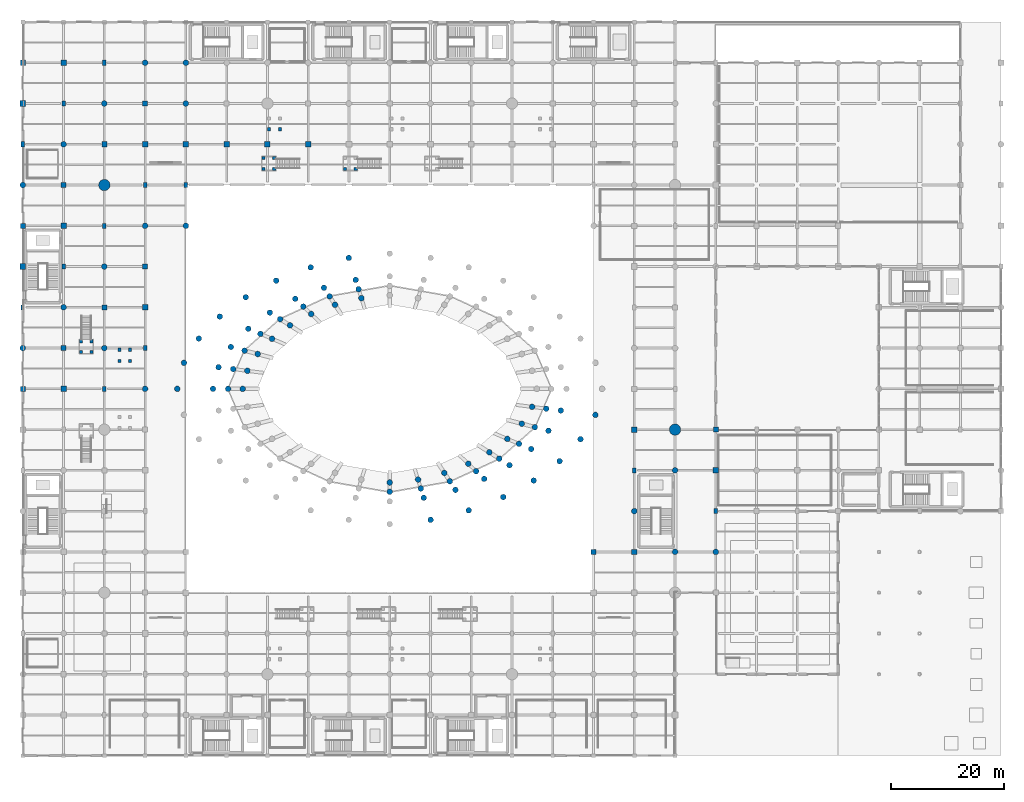
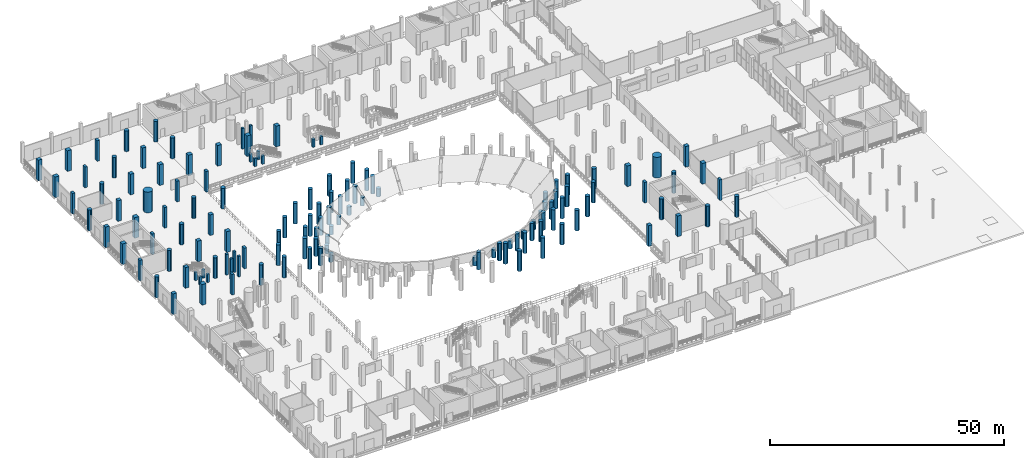
# One storey, part 2 of 58: 134 columns.
"""IFC4 building model written with IfcOpenShell, lengths in metres."""

from ifc_helpers import new_model, si_unit, direction, frame, origin, origin_2d, place, context, subcontext, project, spatial, rectangle, circle, extrude, material, material_profile, profile_set, type_object, element, save


model = new_model("IFC4")

# Units and contexts
model_context = context("Model", 3, precision=1e-05, world=origin(), true_north=direction((0.0, 1.0)))
body_context = subcontext(model_context, "Body", "Model", "MODEL_VIEW")
ifc_project = project(units=[si_unit("LENGTHUNIT", "METRE"), si_unit("AREAUNIT", "SQUARE_METRE"), si_unit("VOLUMEUNIT", "CUBIC_METRE"), si_unit("PLANEANGLEUNIT", "RADIAN"), si_unit("MASSUNIT", "GRAM", prefix="KILO")], contexts=[model_context])

# Site, building, storey
site_placement = place(None, origin())
site = spatial("IfcSite", under=ifc_project, at=site_placement, CompositionType="ELEMENT")
building_placement = place(site_placement, origin())
building = spatial("IfcBuilding", under=site, at=building_placement, Name="Qandorah Velis Arena", CompositionType="ELEMENT")
storey_placement = place(building_placement, origin())
storey = spatial("IfcBuildingStorey", under=building, at=storey_placement, Name="L00", CompositionType="ELEMENT", Elevation=0.0)

# Columns
ifc_material_1 = material(Name="Concrete C50/60", Category="concrete")
ifc_material_profile_1 = material_profile(ifc_material_1, circle(Radius=1.0, at=origin_2d()), Name="MC D2000")
ifc_profile_set_1 = profile_set([ifc_material_profile_1], Name="Concrete C50/60")
column_type_1 = type_object("IfcColumnType", Name="STR-COL-MC2000", PredefinedType="COLUMN", material=ifc_profile_set_1)
for number, where, z_axis, x_axis, name in (
    (1, (14.39990234375, 100.800048828125, 0.0), (0.0, 0.0, 1.0), (1.0, 0.0, 0.0), "Mega column MC3 (L00)"),
    (2, (115.199951171875, 57.60009765625, 0.0), (0.0, 0.0, 1.0), (1.0, 0.0, 0.0), "Mega column MC9 (L00)"),
):
    element("IfcColumn", number, at=place(storey_placement, frame(where, z_axis=z_axis, x_axis=x_axis)), inside=storey, type_object=column_type_1, Name=name, PredefinedType="COLUMN", context=body_context, shape_type="SweptSolid", body=[
        extrude(circle(Radius=1.0, at=origin_2d()), origin(), (0.0, 0.0, 1.0), 5.39990234375),
    ])
ifc_material_2 = material(Name="Concrete C40/50", Category="concrete")
ifc_material_profile_2 = material_profile(ifc_material_2, rectangle(XDim=1.0, YDim=1.0, at=origin_2d()), Name="RC COL 1000x1000")
ifc_profile_set_2 = profile_set([ifc_material_profile_2], Name="Concrete C40/50")
column_type_2 = type_object("IfcColumnType", Name="STR-COL-RC1000", PredefinedType="COLUMN", material=ifc_profile_set_2)
for number, where, z_axis, x_axis, name in (
    (3, (0.0, 86.39990234375, 0.0), (0.0, 0.0, 1.0), (1.0, 0.0, 0.0), "Structural column L00-012"),
    (4, (0.0, 115.199951171875, 0.0), (0.0, 0.0, 1.0), (1.0, 0.0, 0.0), "Structural column L00-016"),
    (5, (7.199951171875, 64.800048828125, 0.0), (0.0, 0.0, 1.0), (1.0, 0.0, 0.0), "Structural column L00-028"),
    (6, (7.199951171875, 93.60009765625, 0.0), (0.0, 0.0, 1.0), (1.0, 0.0, 0.0), "Structural column L00-032"),
    (7, (7.199951171875, 122.39990234375, 0.0), (0.0, 0.0, 1.0), (1.0, 0.0, 0.0), "Structural column L00-036"),
    (8, (21.60009765625, 79.199951171875, 0.0), (0.0, 0.0, 1.0), (1.0, 0.0, 0.0), "Structural column L00-068"),
    (9, (21.60009765625, 108.0, 0.0), (0.0, 0.0, 1.0), (1.0, 0.0, 0.0), "Structural column L00-072"),
    (10, (28.800048828125, 108.0, 0.0), (0.0, 0.0, 1.0), (1.0, 0.0, 0.0), "Structural column L00-084"),
    (11, (36.0, 108.0, 0.0), (0.0, 0.0, 1.0), (1.0, 0.0, 0.0), "Structural column L00-092"),
    (12, (43.199951171875, 108.0, 0.0), (0.0, 0.0, 1.0), (1.0, 0.0, 0.0), "Structural column L00-100"),
    (13, (50.39990234375, 108.0, 0.0), (0.0, 0.0, 1.0), (1.0, 0.0, 0.0), "Structural column L00-108"),
    (14, (108.0, 57.60009765625, 0.0), (0.0, 0.0, 1.0), (1.0, 0.0, 0.0), "Structural column L00-180"),
    (15, (122.39990234375, 50.39990234375, 0.0), (0.0, 0.0, 1.0), (1.0, 0.0, 0.0), "Structural column L00-212"),
):
    element("IfcColumn", number, at=place(storey_placement, frame(where, z_axis=z_axis, x_axis=x_axis)), inside=storey, type_object=column_type_2, Name=name, PredefinedType="COLUMN", context=body_context, shape_type="SweptSolid", body=[
        extrude(rectangle(XDim=1.0, YDim=1.0, at=origin_2d()), origin(), (0.0, 0.0, 1.0), 5.39990234375),
    ])
ifc_material_profile_3 = material_profile(ifc_material_2, rectangle(XDim=0.550048828125, YDim=0.550048828125, at=origin_2d()), Name="RC COL 550x550")
ifc_profile_set_3 = profile_set([ifc_material_profile_3], Name="Concrete C40/50")
column_type_3 = type_object("IfcColumnType", Name="STR-COL-RC550", PredefinedType="COLUMN", material=ifc_profile_set_3)
for number, where, z_axis, x_axis, name in (
    (16, (42.5, 103.64990234375, 0.0), (0.0, 0.0, 1.0), (1.0, 0.0, 0.0), "Vomitory VS4 L00 landing column 1"),
    (17, (44.39990234375, 103.64990234375, 0.0), (0.0, 0.0, 1.0), (1.0, 0.0, 0.0), "Vomitory VS4 L00 landing column 2"),
    (18, (42.5, 105.550048828125, 0.0), (0.0, 0.0, 1.0), (1.0, 0.0, 0.0), "Vomitory VS4 L00 landing column 3"),
    (19, (44.39990234375, 105.550048828125, 0.0), (0.0, 0.0, 1.0), (1.0, 0.0, 0.0), "Vomitory VS4 L00 landing column 4"),
    (20, (56.89990234375, 103.64990234375, 0.0), (0.0, 0.0, 1.0), (1.0, 0.0, 0.0), "Vomitory VS5 L00 landing column 1"),
    (21, (58.800048828125, 103.64990234375, 0.0), (0.0, 0.0, 1.0), (1.0, 0.0, 0.0), "Vomitory VS5 L00 landing column 2"),
    (22, (10.25, 71.300048828125, 0.0), (0.0, 0.0, 1.0), (1.0, 0.0, 0.0), "Vomitory VS8 L00 landing column 1"),
    (23, (12.14990234375, 71.300048828125, 0.0), (0.0, 0.0, 1.0), (1.0, 0.0, 0.0), "Vomitory VS8 L00 landing column 2"),
    (24, (10.25, 73.199951171875, 0.0), (0.0, 0.0, 1.0), (1.0, 0.0, 0.0), "Vomitory VS8 L00 landing column 3"),
    (25, (12.14990234375, 73.199951171875, 0.0), (0.0, 0.0, 1.0), (1.0, 0.0, 0.0), "Vomitory VS8 L00 landing column 4"),
):
    element("IfcColumn", number, at=place(storey_placement, frame(where, z_axis=z_axis, x_axis=x_axis)), inside=storey, type_object=column_type_3, Name=name, PredefinedType="COLUMN", context=body_context, shape_type="SweptSolid", body=[
        extrude(rectangle(XDim=0.550048828125, YDim=0.550048828125, at=origin_2d()), origin(), (0.0, 0.0, 1.0), 2.159912109375),
    ])
for number, where, z_axis, x_axis, name in (
    (26, (43.5, 110.64990234375, 0.0), (0.0, 0.0, 1.0), (1.0, 0.0, 0.0), "Vomitory VS12 L00 landing column 1"),
    (27, (45.449951171875, 110.64990234375, 0.0), (0.0, 0.0, 1.0), (1.0, 0.0, 0.0), "Vomitory VS12 L00 landing column 2"),
    (28, (17.050048828125, 69.75, 0.0), (0.0, 0.0, 1.0), (1.0, 0.0, 0.0), "Vomitory VS16 L00 landing column 1"),
    (29, (18.949951171875, 69.75, 0.0), (0.0, 0.0, 1.0), (1.0, 0.0, 0.0), "Vomitory VS16 L00 landing column 2"),
    (30, (17.050048828125, 71.699951171875, 0.0), (0.0, 0.0, 1.0), (1.0, 0.0, 0.0), "Vomitory VS16 L00 landing column 3"),
    (31, (18.949951171875, 71.699951171875, 0.0), (0.0, 0.0, 1.0), (1.0, 0.0, 0.0), "Vomitory VS16 L00 landing column 4"),
):
    element("IfcColumn", number, at=place(storey_placement, frame(where, z_axis=z_axis, x_axis=x_axis)), inside=storey, type_object=column_type_3, Name=name, PredefinedType="COLUMN", context=body_context, shape_type="SweptSolid", body=[
        extrude(rectangle(XDim=0.550048828125, YDim=0.550048828125, at=origin_2d()), origin(), (0.0, 0.0, 1.0), 5.39990234375),
    ])
ifc_material_profile_4 = material_profile(ifc_material_2, rectangle(XDim=0.60009765625, YDim=0.89990234375, at=origin_2d()), Name="RC COL 600x900")
ifc_profile_set_4 = profile_set([ifc_material_profile_4], Name="Concrete C40/50")
column_type_4 = type_object("IfcColumnType", Name="STR-COL-RC600X900", PredefinedType="COLUMN", material=ifc_profile_set_4)
for number, where, z_axis, x_axis, name in (
    (32, (0.0, 79.199951171875, 0.0), (0.0, 0.0, 1.0), (1.0, 0.0, 0.0), "Structural column L00-011"),
    (33, (0.0, 108.0, 0.0), (0.0, 0.0, 1.0), (1.0, 0.0, 0.0), "Structural column L00-015"),
    (34, (7.199951171875, 86.39990234375, 0.0), (0.0, 0.0, 1.0), (1.0, 0.0, 0.0), "Structural column L00-031"),
    (35, (7.199951171875, 115.199951171875, 0.0), (0.0, 0.0, 1.0), (1.0, 0.0, 0.0), "Structural column L00-035"),
    (36, (14.39990234375, 64.800048828125, 0.0), (0.0, 0.0, 1.0), (1.0, 0.0, 0.0), "Structural column L00-047"),
    (37, (14.39990234375, 93.60009765625, 0.0), (0.0, 0.0, 1.0), (1.0, 0.0, 0.0), "Structural column L00-051"),
    (38, (14.39990234375, 122.39990234375, 0.0), (0.0, 0.0, 1.0), (1.0, 0.0, 0.0), "Structural column L00-055"),
    (39, (21.60009765625, 72.0, 0.0), (0.0, 0.0, 1.0), (1.0, 0.0, 0.0), "Structural column L00-067"),
    (40, (21.60009765625, 100.800048828125, 0.0), (0.0, 0.0, 1.0), (1.0, 0.0, 0.0), "Structural column L00-071"),
    (41, (28.800048828125, 100.800048828125, 0.0), (0.0, 0.0, 1.0), (1.0, 0.0, 0.0), "Structural column L00-083"),
    (42, (108.0, 50.39990234375, 0.0), (0.0, 0.0, 1.0), (1.0, 0.0, 0.0), "Structural column L00-179"),
    (43, (122.39990234375, 43.199951171875, 0.0), (0.0, 0.0, 1.0), (1.0, 0.0, 0.0), "Structural column L00-211"),
):
    element("IfcColumn", number, at=place(storey_placement, frame(where, z_axis=z_axis, x_axis=x_axis)), inside=storey, type_object=column_type_4, Name=name, PredefinedType="COLUMN", context=body_context, shape_type="SweptSolid", body=[
        extrude(rectangle(XDim=0.60009765625, YDim=0.89990234375, at=origin_2d()), origin(), (0.0, 0.0, 1.0), 5.39990234375),
    ])
ifc_material_profile_5 = material_profile(ifc_material_2, rectangle(XDim=0.89990234375, YDim=0.89990234375, at=origin_2d()), Name="RC COL 900x900")
ifc_profile_set_5 = profile_set([ifc_material_profile_5], Name="Concrete C40/50")
column_type_5 = type_object("IfcColumnType", Name="STR-COL-RC900", PredefinedType="COLUMN", material=ifc_profile_set_5)
for number, where, z_axis, x_axis, name in (
    (44, (0.0, 64.800048828125, 0.0), (0.0, 0.0, 1.0), (1.0, 0.0, 0.0), "Structural column L00-009"),
    (45, (0.0, 93.60009765625, 0.0), (0.0, 0.0, 1.0), (1.0, 0.0, 0.0), "Structural column L00-013"),
    (46, (0.0, 122.39990234375, 0.0), (0.0, 0.0, 1.0), (1.0, 0.0, 0.0), "Structural column L00-017"),
    (47, (7.199951171875, 72.0, 0.0), (0.0, 0.0, 1.0), (1.0, 0.0, 0.0), "Structural column L00-029"),
    (48, (7.199951171875, 100.800048828125, 0.0), (0.0, 0.0, 1.0), (1.0, 0.0, 0.0), "Structural column L00-033"),
    (49, (14.39990234375, 79.199951171875, 0.0), (0.0, 0.0, 1.0), (1.0, 0.0, 0.0), "Structural column L00-049"),
    (50, (14.39990234375, 108.0, 0.0), (0.0, 0.0, 1.0), (1.0, 0.0, 0.0), "Structural column L00-053"),
    (51, (21.60009765625, 86.39990234375, 0.0), (0.0, 0.0, 1.0), (1.0, 0.0, 0.0), "Structural column L00-069"),
    (52, (21.60009765625, 115.199951171875, 0.0), (0.0, 0.0, 1.0), (1.0, 0.0, 0.0), "Structural column L00-073"),
    (53, (100.800048828125, 36.0, 0.0), (0.0, 0.0, 1.0), (1.0, 0.0, 0.0), "Structural column L00-165"),
    (54, (108.0, 36.0, 0.0), (0.0, 0.0, 1.0), (1.0, 0.0, 0.0), "Structural column L00-177"),
    (55, (122.39990234375, 57.60009765625, 0.0), (0.0, 0.0, 1.0), (1.0, 0.0, 0.0), "Structural column L00-213"),
):
    element("IfcColumn", number, at=place(storey_placement, frame(where, z_axis=z_axis, x_axis=x_axis)), inside=storey, type_object=column_type_5, Name=name, PredefinedType="COLUMN", context=body_context, shape_type="SweptSolid", body=[
        extrude(rectangle(XDim=0.89990234375, YDim=0.89990234375, at=origin_2d()), origin(), (0.0, 0.0, 1.0), 5.39990234375),
    ])
ifc_material_profile_6 = material_profile(ifc_material_2, circle(Radius=0.5, at=origin_2d()), Name="RC D1000")
ifc_profile_set_6 = profile_set([ifc_material_profile_6], Name="Concrete C40/50")
column_type_6 = type_object("IfcColumnType", Name="STR-COL-RCD1000", PredefinedType="COLUMN", material=ifc_profile_set_6)
for number, where, z_axis, x_axis, name in (
    (56, (0.0, 72.0, 0.0), (0.0, 0.0, 1.0), (1.0, 0.0, 0.0), "Structural column L00-010"),
    (57, (0.0, 100.800048828125, 0.0), (0.0, 0.0, 1.0), (1.0, 0.0, 0.0), "Structural column L00-014"),
    (58, (7.199951171875, 79.199951171875, 0.0), (0.0, 0.0, 1.0), (1.0, 0.0, 0.0), "Structural column L00-030"),
    (59, (7.199951171875, 108.0, 0.0), (0.0, 0.0, 1.0), (1.0, 0.0, 0.0), "Structural column L00-034"),
    (60, (14.39990234375, 72.0, 0.0), (0.0, 0.0, 1.0), (1.0, 0.0, 0.0), "Bowl drum ring column L00-048"),
    (61, (14.39990234375, 86.39990234375, 0.0), (0.0, 0.0, 1.0), (1.0, 0.0, 0.0), "Bowl drum ring column L00-050"),
    (62, (14.39990234375, 115.199951171875, 0.0), (0.0, 0.0, 1.0), (1.0, 0.0, 0.0), "Bowl drum ring column L00-054"),
    (63, (21.60009765625, 64.800048828125, 0.0), (0.0, 0.0, 1.0), (1.0, 0.0, 0.0), "Structural column L00-066"),
    (64, (21.60009765625, 93.60009765625, 0.0), (0.0, 0.0, 1.0), (1.0, 0.0, 0.0), "Structural column L00-070"),
    (65, (21.60009765625, 122.39990234375, 0.0), (0.0, 0.0, 1.0), (1.0, 0.0, 0.0), "Structural column L00-074"),
    (66, (28.800048828125, 93.60009765625, 0.0), (0.0, 0.0, 1.0), (1.0, 0.0, 0.0), "Structural column L00-082"),
    (67, (28.800048828125, 115.199951171875, 0.0), (0.0, 0.0, 1.0), (1.0, 0.0, 0.0), "Bowl drum ring column L00-085"),
    (68, (28.800048828125, 122.39990234375, 0.0), (0.0, 0.0, 1.0), (1.0, 0.0, 0.0), "Structural column L00-086"),
    (69, (108.0, 43.199951171875, 0.0), (0.0, 0.0, 1.0), (1.0, 0.0, 0.0), "Structural column L00-178"),
    (70, (115.199951171875, 36.0, 0.0), (0.0, 0.0, 1.0), (1.0, 0.0, 0.0), "Bowl drum ring column L00-196"),
    (71, (115.199951171875, 50.39990234375, 0.0), (0.0, 0.0, 1.0), (1.0, 0.0, 0.0), "Bowl drum ring column L00-197"),
    (72, (122.39990234375, 36.0, 0.0), (0.0, 0.0, 1.0), (1.0, 0.0, 0.0), "Structural column L00-210"),
):
    element("IfcColumn", number, at=place(storey_placement, frame(where, z_axis=z_axis, x_axis=x_axis)), inside=storey, type_object=column_type_6, Name=name, PredefinedType="COLUMN", context=body_context, shape_type="SweptSolid", body=[
        extrude(circle(Radius=0.5, at=origin_2d()), origin(), (0.0, 0.0, 1.0), 5.39990234375),
    ])
column_1_placement = place(storey_placement, frame((59.7978515625, 80.8125, 0.0), z_axis=(0.0, 0.0, 1.0), x_axis=(1.0, 0.0, 0.0)))
element("IfcColumn", 73, at=column_1_placement, inside=storey, type_object=column_type_6, Name="Lower bowl mid L00 support column 5.2", PredefinedType="COLUMN", context=body_context, shape_type="SweptSolid", body=[
    extrude(circle(Radius=0.5, at=origin_2d()), origin(), (0.0, 0.0, 1.0), 2.159912109375),
])
column_2_placement = place(storey_placement, frame((59.30224609375, 82.399169921875, 0.0), z_axis=(0.0, 0.0, 1.0), x_axis=(1.0, 0.0, 0.0)))
element("IfcColumn", 74, at=column_2_placement, inside=storey, type_object=column_type_6, Name="Lower bowl raker support column 5.2", PredefinedType="COLUMN", context=body_context, shape_type="SweptSolid", body=[
    extrude(circle(Radius=0.5, at=origin_2d()), origin(), (0.0, 0.0, 1.0), 4.56005859375),
])
for number, where, z_axis, x_axis, name in (
    (75, (58.78759765625, 84.04638671875, 0.0), (0.0, 0.0, 1.0), (1.0, 0.0, 0.0), "Upper raker fulcrum column L00 5.2"),
    (76, (57.574462890625, 87.930419921875, 0.0), (0.0, 0.0, 1.0), (1.0, 0.0, 0.0), "Outer bowl raker column L00 5.2"),
):
    element("IfcColumn", number, at=place(storey_placement, frame(where, z_axis=z_axis, x_axis=x_axis)), inside=storey, type_object=column_type_6, Name=name, PredefinedType="COLUMN", context=body_context, shape_type="SweptSolid", body=[
        extrude(circle(Radius=0.5, at=origin_2d()), origin(), (0.0, 0.0, 1.0), 5.39990234375),
    ])
column_3_placement = place(storey_placement, frame((55.13720703125, 79.654296875, 0.0), z_axis=(0.0, 0.0, 1.0), x_axis=(1.0, 0.0, 0.0)))
element("IfcColumn", 77, at=column_3_placement, inside=storey, type_object=column_type_6, Name="Lower bowl mid L00 support column 6.1", PredefinedType="COLUMN", context=body_context, shape_type="SweptSolid", body=[
    extrude(circle(Radius=0.5, at=origin_2d()), origin(), (0.0, 0.0, 1.0), 2.159912109375),
])
column_4_placement = place(storey_placement, frame((54.179443359375, 81.12646484375, 0.0), z_axis=(0.0, 0.0, 1.0), x_axis=(1.0, 0.0, 0.0)))
element("IfcColumn", 78, at=column_4_placement, inside=storey, type_object=column_type_6, Name="Lower bowl raker support column 6.1", PredefinedType="COLUMN", context=body_context, shape_type="SweptSolid", body=[
    extrude(circle(Radius=0.5, at=origin_2d()), origin(), (0.0, 0.0, 1.0), 4.56005859375),
])
column_5_placement = place(storey_placement, frame((50.917724609375, 78.029296875, 0.0), z_axis=(0.0, 0.0, 1.0), x_axis=(1.0, 0.0, 0.0)))
element("IfcColumn", 79, at=column_5_placement, inside=storey, type_object=column_type_6, Name="Lower bowl mid L00 support column 6.2", PredefinedType="COLUMN", context=body_context, shape_type="SweptSolid", body=[
    extrude(circle(Radius=0.5, at=origin_2d()), origin(), (0.0, 0.0, 1.0), 2.159912109375),
])
column_6_placement = place(storey_placement, frame((49.5419921875, 79.34033203125, 0.0), z_axis=(0.0, 0.0, 1.0), x_axis=(1.0, 0.0, 0.0)))
element("IfcColumn", 80, at=column_6_placement, inside=storey, type_object=column_type_6, Name="Lower bowl raker support column 6.2", PredefinedType="COLUMN", context=body_context, shape_type="SweptSolid", body=[
    extrude(circle(Radius=0.5, at=origin_2d()), origin(), (0.0, 0.0, 1.0), 4.56005859375),
])
for number, where, z_axis, x_axis, name in (
    (81, (53.185546875, 82.654541015625, 0.0), (0.0, 0.0, 1.0), (1.0, 0.0, 0.0), "Upper raker fulcrum column L00 6.1"),
    (82, (50.841796875, 86.25732421875, 0.0), (0.0, 0.0, 1.0), (1.0, 0.0, 0.0), "Outer bowl raker column L00 6.1"),
    (83, (48.114013671875, 80.701171875, 0.0), (0.0, 0.0, 1.0), (1.0, 0.0, 0.0), "Upper raker fulcrum column L00 6.2"),
    (84, (44.746826171875, 83.909912109375, 0.0), (0.0, 0.0, 1.0), (1.0, 0.0, 0.0), "Outer bowl raker column L00 6.2"),
):
    element("IfcColumn", number, at=place(storey_placement, frame(where, z_axis=z_axis, x_axis=x_axis)), inside=storey, type_object=column_type_6, Name=name, PredefinedType="COLUMN", context=body_context, shape_type="SweptSolid", body=[
        extrude(circle(Radius=0.5, at=origin_2d()), origin(), (0.0, 0.0, 1.0), 5.39990234375),
    ])
column_7_placement = place(storey_placement, frame((47.19580078125, 76.009521484375, 0.0), z_axis=(0.0, 0.0, 1.0), x_axis=(1.0, 0.0, 0.0)))
element("IfcColumn", 85, at=column_7_placement, inside=storey, type_object=column_type_6, Name="Lower bowl mid L00 support column 7.1", PredefinedType="COLUMN", context=body_context, shape_type="SweptSolid", body=[
    extrude(circle(Radius=0.5, at=origin_2d()), origin(), (0.0, 0.0, 1.0), 2.159912109375),
])
column_8_placement = place(storey_placement, frame((45.451171875, 77.120361328125, 0.0), z_axis=(0.0, 0.0, 1.0), x_axis=(1.0, 0.0, 0.0)))
element("IfcColumn", 86, at=column_8_placement, inside=storey, type_object=column_type_6, Name="Lower bowl raker support column 7.1", PredefinedType="COLUMN", context=body_context, shape_type="SweptSolid", body=[
    extrude(circle(Radius=0.5, at=origin_2d()), origin(), (0.0, 0.0, 1.0), 4.56005859375),
])
column_9_placement = place(storey_placement, frame((44.02392578125, 73.639404296875, 0.0), z_axis=(0.0, 0.0, 1.0), x_axis=(1.0, 0.0, 0.0)))
element("IfcColumn", 87, at=column_9_placement, inside=storey, type_object=column_type_6, Name="Lower bowl mid L00 support column 7.2", PredefinedType="COLUMN", context=body_context, shape_type="SweptSolid", body=[
    extrude(circle(Radius=0.5, at=origin_2d()), origin(), (0.0, 0.0, 1.0), 2.159912109375),
])
column_10_placement = place(storey_placement, frame((41.965087890625, 74.515380859375, 0.0), z_axis=(0.0, 0.0, 1.0), x_axis=(1.0, 0.0, 0.0)))
element("IfcColumn", 88, at=column_10_placement, inside=storey, type_object=column_type_6, Name="Lower bowl raker support column 7.2", PredefinedType="COLUMN", context=body_context, shape_type="SweptSolid", body=[
    extrude(circle(Radius=0.5, at=origin_2d()), origin(), (0.0, 0.0, 1.0), 4.56005859375),
])
for number, where, z_axis, x_axis, name in (
    (89, (43.64013671875, 78.2734375, 0.0), (0.0, 0.0, 1.0), (1.0, 0.0, 0.0), "Upper raker fulcrum column L00 7.1"),
    (90, (39.370361328125, 80.992431640625, 0.0), (0.0, 0.0, 1.0), (1.0, 0.0, 0.0), "Outer bowl raker column L00 7.1"),
    (91, (39.82763671875, 75.4248046875, 0.0), (0.0, 0.0, 1.0), (1.0, 0.0, 0.0), "Upper raker fulcrum column L00 7.2"),
    (92, (34.788330078125, 77.56884765625, 0.0), (0.0, 0.0, 1.0), (1.0, 0.0, 0.0), "Outer bowl raker column L00 7.2"),
):
    element("IfcColumn", number, at=place(storey_placement, frame(where, z_axis=z_axis, x_axis=x_axis)), inside=storey, type_object=column_type_6, Name=name, PredefinedType="COLUMN", context=body_context, shape_type="SweptSolid", body=[
        extrude(circle(Radius=0.5, at=origin_2d()), origin(), (0.0, 0.0, 1.0), 5.39990234375),
    ])
column_11_placement = place(storey_placement, frame((41.4716796875, 70.952880859375, 0.0), z_axis=(0.0, 0.0, 1.0), x_axis=(1.0, 0.0, 0.0)))
element("IfcColumn", 93, at=column_11_placement, inside=storey, type_object=column_type_6, Name="Lower bowl mid L00 support column 8.1", PredefinedType="COLUMN", context=body_context, shape_type="SweptSolid", body=[
    extrude(circle(Radius=0.5, at=origin_2d()), origin(), (0.0, 0.0, 1.0), 2.159912109375),
])
column_12_placement = place(storey_placement, frame((39.159912109375, 71.5625, 0.0), z_axis=(0.0, 0.0, 1.0), x_axis=(1.0, 0.0, 0.0)))
element("IfcColumn", 94, at=column_12_placement, inside=storey, type_object=column_type_6, Name="Lower bowl raker support column 8.1", PredefinedType="COLUMN", context=body_context, shape_type="SweptSolid", body=[
    extrude(circle(Radius=0.5, at=origin_2d()), origin(), (0.0, 0.0, 1.0), 4.56005859375),
])
column_13_placement = place(storey_placement, frame((39.653076171875, 67.985107421875, 0.0), z_axis=(0.0, 0.0, 1.0), x_axis=(1.0, 0.0, 0.0)))
element("IfcColumn", 95, at=column_13_placement, inside=storey, type_object=column_type_6, Name="Lower bowl mid L00 support column 8.2", PredefinedType="COLUMN", context=body_context, shape_type="SweptSolid", body=[
    extrude(circle(Radius=0.5, at=origin_2d()), origin(), (0.0, 0.0, 1.0), 2.159912109375),
])
column_14_placement = place(storey_placement, frame((37.160888671875, 68.30078125, 0.0), z_axis=(0.0, 0.0, 1.0), x_axis=(1.0, 0.0, 0.0)))
element("IfcColumn", 96, at=column_14_placement, inside=storey, type_object=column_type_6, Name="Lower bowl raker support column 8.2", PredefinedType="COLUMN", context=body_context, shape_type="SweptSolid", body=[
    extrude(circle(Radius=0.5, at=origin_2d()), origin(), (0.0, 0.0, 1.0), 4.56005859375),
])
for number, where, z_axis, x_axis, name in (
    (97, (36.760009765625, 72.195556640625, 0.0), (0.0, 0.0, 1.0), (1.0, 0.0, 0.0), "Upper raker fulcrum column L00 8.1"),
    (98, (31.101806640625, 73.68798828125, 0.0), (0.0, 0.0, 1.0), (1.0, 0.0, 0.0), "Outer bowl raker column L00 8.1"),
    (99, (34.573974609375, 68.62841796875, 0.0), (0.0, 0.0, 1.0), (1.0, 0.0, 0.0), "Upper raker fulcrum column L00 8.2"),
    (100, (28.474609375, 69.40087890625, 0.0), (0.0, 0.0, 1.0), (1.0, 0.0, 0.0), "Outer bowl raker column L00 8.2"),
):
    element("IfcColumn", number, at=place(storey_placement, frame(where, z_axis=z_axis, x_axis=x_axis)), inside=storey, type_object=column_type_6, Name=name, PredefinedType="COLUMN", context=body_context, shape_type="SweptSolid", body=[
        extrude(circle(Radius=0.5, at=origin_2d()), origin(), (0.0, 0.0, 1.0), 5.39990234375),
    ])
column_15_placement = place(storey_placement, frame((38.825927734375, 64.800048828125, 0.0), z_axis=(0.0, 0.0, 1.0), x_axis=(1.0, 0.0, 0.0)))
element("IfcColumn", 101, at=column_15_placement, inside=storey, type_object=column_type_6, Name="Lower bowl mid L00 support column 9.1", PredefinedType="COLUMN", context=body_context, shape_type="SweptSolid", body=[
    extrude(circle(Radius=0.5, at=origin_2d()), origin(), (0.0, 0.0, 1.0), 2.159912109375),
])
column_16_placement = place(storey_placement, frame((36.251953125, 64.800048828125, 0.0), z_axis=(0.0, 0.0, 1.0), x_axis=(1.0, 0.0, 0.0)))
element("IfcColumn", 102, at=column_16_placement, inside=storey, type_object=column_type_6, Name="Lower bowl raker support column 9.1", PredefinedType="COLUMN", context=body_context, shape_type="SweptSolid", body=[
    extrude(circle(Radius=0.5, at=origin_2d()), origin(), (0.0, 0.0, 1.0), 4.56005859375),
])
for number, where, z_axis, x_axis, name in (
    (103, (33.580078125, 64.800048828125, 0.0), (0.0, 0.0, 1.0), (1.0, 0.0, 0.0), "Upper raker fulcrum column L00 9.1"),
    (104, (27.280029296875, 64.800048828125, 0.0), (0.0, 0.0, 1.0), (1.0, 0.0, 0.0), "Outer bowl raker column L00 9.1"),
):
    element("IfcColumn", number, at=place(storey_placement, frame(where, z_axis=z_axis, x_axis=x_axis)), inside=storey, type_object=column_type_6, Name=name, PredefinedType="COLUMN", context=body_context, shape_type="SweptSolid", body=[
        extrude(circle(Radius=0.5, at=origin_2d()), origin(), (0.0, 0.0, 1.0), 5.39990234375),
    ])
column_17_placement = place(storey_placement, frame((64.800048828125, 48.260986328125, 0.0), z_axis=(0.0, 0.0, 1.0), x_axis=(1.0, 0.0, 0.0)))
element("IfcColumn", 105, at=column_17_placement, inside=storey, type_object=column_type_6, Name="Lower bowl mid L00 support column 13.1", PredefinedType="COLUMN", context=body_context, shape_type="SweptSolid", body=[
    extrude(circle(Radius=0.5, at=origin_2d()), origin(), (0.0, 0.0, 1.0), 2.159912109375),
])
column_18_placement = place(storey_placement, frame((64.800048828125, 46.6220703125, 0.0), z_axis=(0.0, 0.0, 1.0), x_axis=(1.0, 0.0, 0.0)))
element("IfcColumn", 106, at=column_18_placement, inside=storey, type_object=column_type_6, Name="Lower bowl raker support column 13.1", PredefinedType="COLUMN", context=body_context, shape_type="SweptSolid", body=[
    extrude(circle(Radius=0.5, at=origin_2d()), origin(), (0.0, 0.0, 1.0), 4.56005859375),
])
column_19_placement = place(storey_placement, frame((69.802001953125, 48.78759765625, 0.0), z_axis=(0.0, 0.0, 1.0), x_axis=(1.0, 0.0, 0.0)))
element("IfcColumn", 107, at=column_19_placement, inside=storey, type_object=column_type_6, Name="Lower bowl mid L00 support column 13.2", PredefinedType="COLUMN", context=body_context, shape_type="SweptSolid", body=[
    extrude(circle(Radius=0.5, at=origin_2d()), origin(), (0.0, 0.0, 1.0), 2.159912109375),
])
column_20_placement = place(storey_placement, frame((70.2978515625, 47.20068359375, 0.0), z_axis=(0.0, 0.0, 1.0), x_axis=(1.0, 0.0, 0.0)))
element("IfcColumn", 108, at=column_20_placement, inside=storey, type_object=column_type_6, Name="Lower bowl raker support column 13.2", PredefinedType="COLUMN", context=body_context, shape_type="SweptSolid", body=[
    extrude(circle(Radius=0.5, at=origin_2d()), origin(), (0.0, 0.0, 1.0), 4.56005859375),
])
for number, where, z_axis, x_axis, name in (
    (109, (70.812255859375, 45.553466796875, 0.0), (0.0, 0.0, 1.0), (1.0, 0.0, 0.0), "Upper raker fulcrum column L00 13.2"),
    (110, (72.025634765625, 41.669677734375, 0.0), (0.0, 0.0, 1.0), (1.0, 0.0, 0.0), "Outer bowl raker column L00 13.2"),
):
    element("IfcColumn", number, at=place(storey_placement, frame(where, z_axis=z_axis, x_axis=x_axis)), inside=storey, type_object=column_type_6, Name=name, PredefinedType="COLUMN", context=body_context, shape_type="SweptSolid", body=[
        extrude(circle(Radius=0.5, at=origin_2d()), origin(), (0.0, 0.0, 1.0), 5.39990234375),
    ])
column_21_placement = place(storey_placement, frame((74.462890625, 49.94580078125, 0.0), z_axis=(0.0, 0.0, 1.0), x_axis=(1.0, 0.0, 0.0)))
element("IfcColumn", 111, at=column_21_placement, inside=storey, type_object=column_type_6, Name="Lower bowl mid L00 support column 14.1", PredefinedType="COLUMN", context=body_context, shape_type="SweptSolid", body=[
    extrude(circle(Radius=0.5, at=origin_2d()), origin(), (0.0, 0.0, 1.0), 2.159912109375),
])
column_22_placement = place(storey_placement, frame((75.42041015625, 48.4736328125, 0.0), z_axis=(0.0, 0.0, 1.0), x_axis=(1.0, 0.0, 0.0)))
element("IfcColumn", 112, at=column_22_placement, inside=storey, type_object=column_type_6, Name="Lower bowl raker support column 14.1", PredefinedType="COLUMN", context=body_context, shape_type="SweptSolid", body=[
    extrude(circle(Radius=0.5, at=origin_2d()), origin(), (0.0, 0.0, 1.0), 4.56005859375),
])
column_23_placement = place(storey_placement, frame((78.68212890625, 51.57080078125, 0.0), z_axis=(0.0, 0.0, 1.0), x_axis=(1.0, 0.0, 0.0)))
element("IfcColumn", 113, at=column_23_placement, inside=storey, type_object=column_type_6, Name="Lower bowl mid L00 support column 14.2", PredefinedType="COLUMN", context=body_context, shape_type="SweptSolid", body=[
    extrude(circle(Radius=0.5, at=origin_2d()), origin(), (0.0, 0.0, 1.0), 2.159912109375),
])
column_24_placement = place(storey_placement, frame((80.057861328125, 50.259765625, 0.0), z_axis=(0.0, 0.0, 1.0), x_axis=(1.0, 0.0, 0.0)))
element("IfcColumn", 114, at=column_24_placement, inside=storey, type_object=column_type_6, Name="Lower bowl raker support column 14.2", PredefinedType="COLUMN", context=body_context, shape_type="SweptSolid", body=[
    extrude(circle(Radius=0.5, at=origin_2d()), origin(), (0.0, 0.0, 1.0), 4.56005859375),
])
for number, where, z_axis, x_axis, name in (
    (115, (76.41455078125, 46.945556640625, 0.0), (0.0, 0.0, 1.0), (1.0, 0.0, 0.0), "Upper raker fulcrum column L00 14.1"),
    (116, (78.75830078125, 43.342529296875, 0.0), (0.0, 0.0, 1.0), (1.0, 0.0, 0.0), "Outer bowl raker column L00 14.1"),
    (117, (81.486083984375, 48.898681640625, 0.0), (0.0, 0.0, 1.0), (1.0, 0.0, 0.0), "Upper raker fulcrum column L00 14.2"),
    (118, (84.85302734375, 45.690185546875, 0.0), (0.0, 0.0, 1.0), (1.0, 0.0, 0.0), "Outer bowl raker column L00 14.2"),
):
    element("IfcColumn", number, at=place(storey_placement, frame(where, z_axis=z_axis, x_axis=x_axis)), inside=storey, type_object=column_type_6, Name=name, PredefinedType="COLUMN", context=body_context, shape_type="SweptSolid", body=[
        extrude(circle(Radius=0.5, at=origin_2d()), origin(), (0.0, 0.0, 1.0), 5.39990234375),
    ])
column_25_placement = place(storey_placement, frame((82.404296875, 53.590576171875, 0.0), z_axis=(0.0, 0.0, 1.0), x_axis=(1.0, 0.0, 0.0)))
element("IfcColumn", 119, at=column_25_placement, inside=storey, type_object=column_type_6, Name="Lower bowl mid L00 support column 15.1", PredefinedType="COLUMN", context=body_context, shape_type="SweptSolid", body=[
    extrude(circle(Radius=0.5, at=origin_2d()), origin(), (0.0, 0.0, 1.0), 2.159912109375),
])
column_26_placement = place(storey_placement, frame((84.148681640625, 52.4794921875, 0.0), z_axis=(0.0, 0.0, 1.0), x_axis=(1.0, 0.0, 0.0)))
element("IfcColumn", 120, at=column_26_placement, inside=storey, type_object=column_type_6, Name="Lower bowl raker support column 15.1", PredefinedType="COLUMN", context=body_context, shape_type="SweptSolid", body=[
    extrude(circle(Radius=0.5, at=origin_2d()), origin(), (0.0, 0.0, 1.0), 4.56005859375),
])
column_27_placement = place(storey_placement, frame((85.576171875, 55.96044921875, 0.0), z_axis=(0.0, 0.0, 1.0), x_axis=(1.0, 0.0, 0.0)))
element("IfcColumn", 121, at=column_27_placement, inside=storey, type_object=column_type_6, Name="Lower bowl mid L00 support column 15.2", PredefinedType="COLUMN", context=body_context, shape_type="SweptSolid", body=[
    extrude(circle(Radius=0.5, at=origin_2d()), origin(), (0.0, 0.0, 1.0), 2.159912109375),
])
column_28_placement = place(storey_placement, frame((87.635009765625, 55.08447265625, 0.0), z_axis=(0.0, 0.0, 1.0), x_axis=(1.0, 0.0, 0.0)))
element("IfcColumn", 122, at=column_28_placement, inside=storey, type_object=column_type_6, Name="Lower bowl raker support column 15.2", PredefinedType="COLUMN", context=body_context, shape_type="SweptSolid", body=[
    extrude(circle(Radius=0.5, at=origin_2d()), origin(), (0.0, 0.0, 1.0), 4.56005859375),
])
for number, where, z_axis, x_axis, name in (
    (123, (85.959716796875, 51.326416015625, 0.0), (0.0, 0.0, 1.0), (1.0, 0.0, 0.0), "Upper raker fulcrum column L00 15.1"),
    (124, (90.229736328125, 48.607666015625, 0.0), (0.0, 0.0, 1.0), (1.0, 0.0, 0.0), "Outer bowl raker column L00 15.1"),
    (125, (89.772216796875, 54.17529296875, 0.0), (0.0, 0.0, 1.0), (1.0, 0.0, 0.0), "Upper raker fulcrum column L00 15.2"),
    (126, (94.8115234375, 52.03125, 0.0), (0.0, 0.0, 1.0), (1.0, 0.0, 0.0), "Outer bowl raker column L00 15.2"),
):
    element("IfcColumn", number, at=place(storey_placement, frame(where, z_axis=z_axis, x_axis=x_axis)), inside=storey, type_object=column_type_6, Name=name, PredefinedType="COLUMN", context=body_context, shape_type="SweptSolid", body=[
        extrude(circle(Radius=0.5, at=origin_2d()), origin(), (0.0, 0.0, 1.0), 5.39990234375),
    ])
column_29_placement = place(storey_placement, frame((88.12841796875, 58.647216796875, 0.0), z_axis=(0.0, 0.0, 1.0), x_axis=(1.0, 0.0, 0.0)))
element("IfcColumn", 127, at=column_29_placement, inside=storey, type_object=column_type_6, Name="Lower bowl mid L00 support column 16.1", PredefinedType="COLUMN", context=body_context, shape_type="SweptSolid", body=[
    extrude(circle(Radius=0.5, at=origin_2d()), origin(), (0.0, 0.0, 1.0), 2.159912109375),
])
column_30_placement = place(storey_placement, frame((90.440185546875, 58.037353515625, 0.0), z_axis=(0.0, 0.0, 1.0), x_axis=(1.0, 0.0, 0.0)))
element("IfcColumn", 128, at=column_30_placement, inside=storey, type_object=column_type_6, Name="Lower bowl raker support column 16.1", PredefinedType="COLUMN", context=body_context, shape_type="SweptSolid", body=[
    extrude(circle(Radius=0.5, at=origin_2d()), origin(), (0.0, 0.0, 1.0), 4.56005859375),
])
column_31_placement = place(storey_placement, frame((89.947021484375, 61.614990234375, 0.0), z_axis=(0.0, 0.0, 1.0), x_axis=(1.0, 0.0, 0.0)))
element("IfcColumn", 129, at=column_31_placement, inside=storey, type_object=column_type_6, Name="Lower bowl mid L00 support column 16.2", PredefinedType="COLUMN", context=body_context, shape_type="SweptSolid", body=[
    extrude(circle(Radius=0.5, at=origin_2d()), origin(), (0.0, 0.0, 1.0), 2.159912109375),
])
column_32_placement = place(storey_placement, frame((92.439208984375, 61.29931640625, 0.0), z_axis=(0.0, 0.0, 1.0), x_axis=(1.0, 0.0, 0.0)))
element("IfcColumn", 130, at=column_32_placement, inside=storey, type_object=column_type_6, Name="Lower bowl raker support column 16.2", PredefinedType="COLUMN", context=body_context, shape_type="SweptSolid", body=[
    extrude(circle(Radius=0.5, at=origin_2d()), origin(), (0.0, 0.0, 1.0), 4.56005859375),
])
for number, where, z_axis, x_axis, name in (
    (131, (92.840087890625, 57.404296875, 0.0), (0.0, 0.0, 1.0), (1.0, 0.0, 0.0), "Upper raker fulcrum column L00 16.1"),
    (132, (98.498291015625, 55.912109375, 0.0), (0.0, 0.0, 1.0), (1.0, 0.0, 0.0), "Outer bowl raker column L00 16.1"),
    (133, (95.02587890625, 60.9716796875, 0.0), (0.0, 0.0, 1.0), (1.0, 0.0, 0.0), "Upper raker fulcrum column L00 16.2"),
    (134, (101.12548828125, 60.19921875, 0.0), (0.0, 0.0, 1.0), (1.0, 0.0, 0.0), "Outer bowl raker column L00 16.2"),
):
    element("IfcColumn", number, at=place(storey_placement, frame(where, z_axis=z_axis, x_axis=x_axis)), inside=storey, type_object=column_type_6, Name=name, PredefinedType="COLUMN", context=body_context, shape_type="SweptSolid", body=[
        extrude(circle(Radius=0.5, at=origin_2d()), origin(), (0.0, 0.0, 1.0), 5.39990234375),
    ])

save(model, "model.ifc")
